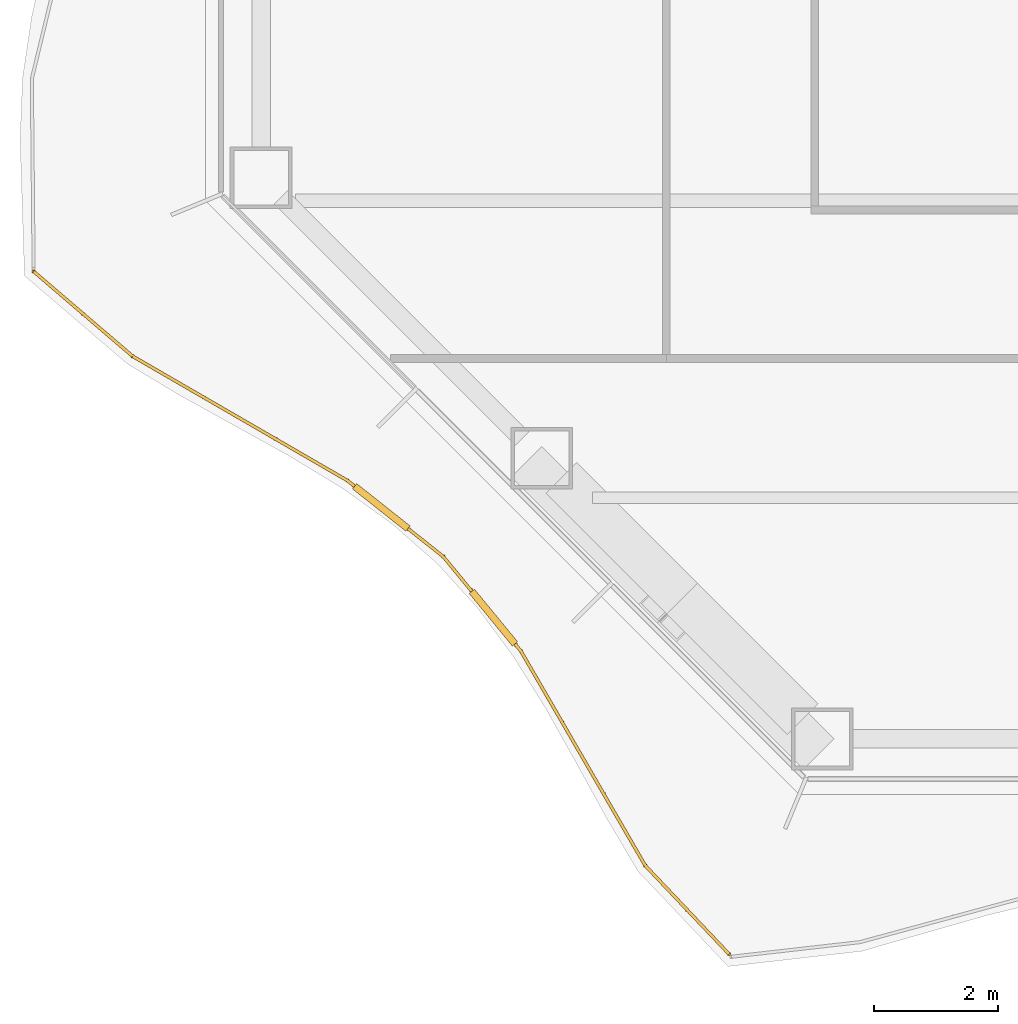
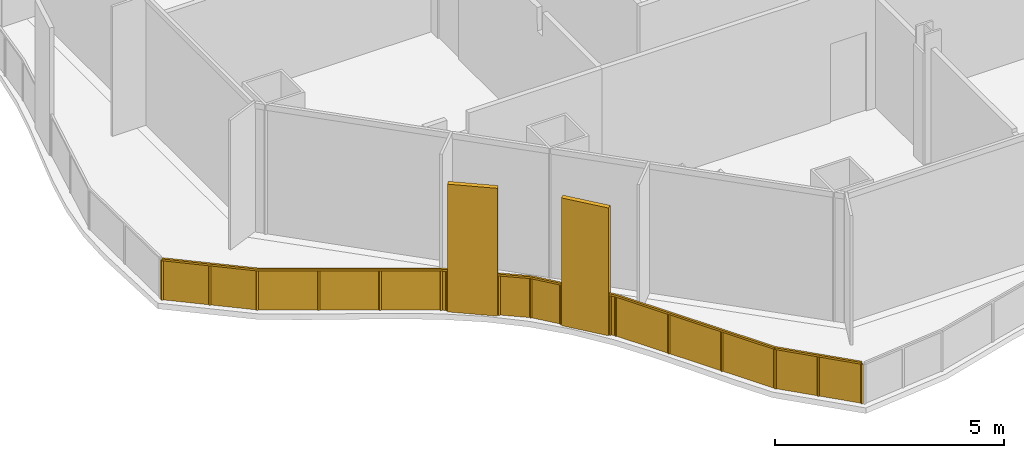
# One storey, part 15 of 21: 1 railing.
"""IFC4 building model written with IfcOpenShell, lengths in metres."""

from ifc_helpers import new_model, si_unit, direction, frame, origin, origin_2d, place, context, subcontext, project, spatial, polyline, rectangle, outline, extrude, material, type_object, element, save


model = new_model("IFC4")

# Units and contexts
model_context = context("Model", 3, precision=1e-05, world=origin(), true_north=direction((0.0, 1.0)))
body_context = subcontext(model_context, "Body", "Model", "MODEL_VIEW")
ifc_project = project(units=[si_unit("LENGTHUNIT", "METRE"), si_unit("AREAUNIT", "SQUARE_METRE"), si_unit("VOLUMEUNIT", "CUBIC_METRE"), si_unit("PLANEANGLEUNIT", "RADIAN"), si_unit("MASSUNIT", "GRAM", prefix="KILO")], contexts=[model_context])

# Site, building, storey
site_placement = place(None, origin())
site = spatial("IfcSite", under=ifc_project, at=site_placement, CompositionType="ELEMENT")
building_placement = place(site_placement, origin())
building = spatial("IfcBuilding", under=site, at=building_placement, Name="Cairn Pilgrim Tower", CompositionType="ELEMENT")
storey_placement = place(building_placement, frame((0.0, 0.0, 54.60009765625)))
storey = spatial("IfcBuildingStorey", under=building, at=storey_placement, Name="L11", CompositionType="ELEMENT", Elevation=54.60009765625)

# Railing
ifc_material = material(Name="Bronze anodised aluminium rail, posts and fin screens with laminated glass infill", Category="aluminium")
railing_type = type_object("IfcRailingType", Name="BALCONY GUARD WITH FIN SCREENS", PredefinedType="GUARDRAIL", material=ifc_material)
railing_placement = place(storey_placement, frame((-31.578125, -15.54296875, 0.0)))
element("IfcRailing", 1, at=railing_placement, inside=storey, type_object=railing_type, Name="Balcony guard BGF-8 with fin screens", PredefinedType="GUARDRAIL", context=body_context, shape_type="SweptSolid", body=[
    extrude(rectangle(XDim=0.050048828125, YDim=0.050048828125, at=origin_2d()), frame((0.0, 0.0, 1.0751953125), z_axis=(0.759362929352, -0.650667304793, 0.0), x_axis=(0.650667304793, 0.759362929352, 0.0)), (0.0, 0.0, 1.0), 2.10693359375),
    extrude(rectangle(XDim=0.050048828125, YDim=0.050048828125, at=origin_2d()), frame((1.599853515625, -1.370849609375, 1.0751953125), z_axis=(0.865473500733, -0.500954708061, 0.0), x_axis=(0.500954708061, 0.865473500733, 0.0)), (0.0, 0.0, 1.0), 4.011962890625),
    extrude(rectangle(XDim=1.10009765625, YDim=0.110107421875, at=origin_2d()), frame((5.62060546875, -3.8154296875, 0.0), z_axis=(0.0, 0.0, 1.0), x_axis=(0.783592922465, -0.621274602622, 0.0)), (0.0, 0.0, 1.0), 3.39990234375),
    extrude(rectangle(XDim=0.050048828125, YDim=0.050048828125, at=origin_2d()), frame((5.072021484375, -3.380615234375, 1.0751953125), z_axis=(0.783592922465, -0.621274602622, 0.0), x_axis=(0.621274602622, 0.783592922465, 0.0)), (0.0, 0.0, 1.0), 0.14990234375),
    extrude(rectangle(XDim=0.050048828125, YDim=0.050048828125, at=origin_2d()), frame((6.051513671875, -4.1572265625, 1.0751953125), z_axis=(0.783592922465, -0.621274602622, 0.0), x_axis=(0.621274602622, 0.783592922465, 0.0)), (0.0, 0.0, 1.0), 0.7294921875),
    extrude(rectangle(XDim=1.10009765625, YDim=0.110107421875, at=origin_2d()), frame((7.433349609375, -5.59716796875, 0.0), z_axis=(0.0, 0.0, 1.0), x_axis=(0.634628809565, -0.772817102599, 0.0)), (0.0, 0.0, 1.0), 3.39990234375),
    extrude(rectangle(XDim=0.050048828125, YDim=0.050048828125, at=origin_2d()), frame((6.623046875, -4.6103515625, 1.0751953125), z_axis=(0.634628809565, -0.772817102599, 0.0), x_axis=(0.772817102599, 0.634628809565, 0.0)), (0.0, 0.0, 1.0), 0.726806640625),
    extrude(rectangle(XDim=0.050048828125, YDim=0.050048828125, at=origin_2d()), frame((7.782470703125, -6.022216796875, 1.0751953125), z_axis=(0.634628809565, -0.772817102599, 0.0), x_axis=(0.772817102599, 0.634628809565, 0.0)), (0.0, 0.0, 1.0), 0.150146484375),
    extrude(rectangle(XDim=0.050048828125, YDim=0.050048828125, at=origin_2d()), frame((7.877685546875, -6.13818359375, 1.0751953125), z_axis=(0.501540345224, -0.865134256698, 0.0), x_axis=(0.865134256698, 0.501540345224, 0.0)), (0.0, 0.0, 1.0), 4.008544921875),
    extrude(rectangle(XDim=0.050048828125, YDim=0.050048828125, at=origin_2d()), frame((9.88818359375, -9.606201171875, 1.0751953125), z_axis=(0.687634629474, -0.726056896082, 0.0), x_axis=(0.726056896082, 0.687634629474, 0.0)), (0.0, 0.0, 1.0), 1.9697265625),
    extrude(rectangle(XDim=0.050048828125, YDim=0.050048828125, at=origin_2d()), origin(), (0.0, 0.0, 1.0), 1.050048828125),
    extrude(rectangle(XDim=0.050048828125, YDim=0.050048828125, at=origin_2d()), frame((0.7998046875, -0.685546875, 0.0)), (0.0, 0.0, 1.0), 1.050048828125),
    extrude(rectangle(XDim=0.050048828125, YDim=0.050048828125, at=origin_2d()), frame((1.599853515625, -1.370849609375, 0.0)), (0.0, 0.0, 1.0), 1.050048828125),
    extrude(rectangle(XDim=0.050048828125, YDim=0.050048828125, at=origin_2d()), frame((2.75732421875, -2.040771484375, 0.0)), (0.0, 0.0, 1.0), 1.050048828125),
    extrude(rectangle(XDim=0.050048828125, YDim=0.050048828125, at=origin_2d()), frame((3.91455078125, -2.710693359375, 0.0)), (0.0, 0.0, 1.0), 1.050048828125),
    extrude(rectangle(XDim=0.050048828125, YDim=0.050048828125, at=origin_2d()), frame((5.072021484375, -3.380615234375, 0.0)), (0.0, 0.0, 1.0), 1.050048828125),
    extrude(rectangle(XDim=0.050048828125, YDim=0.050048828125, at=origin_2d()), frame((5.169921875, -3.458251953125, 0.0)), (0.0, 0.0, 1.0), 1.050048828125),
    extrude(rectangle(XDim=0.050048828125, YDim=0.050048828125, at=origin_2d()), frame((6.071044921875, -4.1728515625, 0.0)), (0.0, 0.0, 1.0), 1.050048828125),
    extrude(rectangle(XDim=0.050048828125, YDim=0.050048828125, at=origin_2d()), frame((6.623046875, -4.6103515625, 0.0)), (0.0, 0.0, 1.0), 1.050048828125),
    extrude(rectangle(XDim=0.050048828125, YDim=0.050048828125, at=origin_2d()), frame((7.068603515625, -5.15283203125, 0.0)), (0.0, 0.0, 1.0), 1.050048828125),
    extrude(rectangle(XDim=0.050048828125, YDim=0.050048828125, at=origin_2d()), frame((7.79833984375, -6.04150390625, 0.0)), (0.0, 0.0, 1.0), 1.050048828125),
    extrude(rectangle(XDim=0.050048828125, YDim=0.050048828125, at=origin_2d()), frame((7.877685546875, -6.13818359375, 0.0)), (0.0, 0.0, 1.0), 1.050048828125),
    extrude(rectangle(XDim=0.050048828125, YDim=0.050048828125, at=origin_2d()), frame((8.5478515625, -7.294189453125, 0.0)), (0.0, 0.0, 1.0), 1.050048828125),
    extrude(rectangle(XDim=0.050048828125, YDim=0.050048828125, at=origin_2d()), frame((9.218017578125, -8.4501953125, 0.0)), (0.0, 0.0, 1.0), 1.050048828125),
    extrude(rectangle(XDim=0.050048828125, YDim=0.050048828125, at=origin_2d()), frame((9.88818359375, -9.606201171875, 0.0)), (0.0, 0.0, 1.0), 1.050048828125),
    extrude(rectangle(XDim=0.050048828125, YDim=0.050048828125, at=origin_2d()), frame((10.5654296875, -10.3212890625, 0.0)), (0.0, 0.0, 1.0), 1.050048828125),
    extrude(rectangle(XDim=0.050048828125, YDim=0.050048828125, at=origin_2d()), frame((11.24267578125, -11.036376953125, 0.0)), (0.0, 0.0, 1.0), 1.050048828125),
    extrude(outline(polyline([(0.02490234375, 0.0), (1.0283203125, 0.0), (1.0283203125, 1.050048828125), (0.02490234375, 1.050048828125), (0.02490234375, 0.0)])), frame((0.00390625, 0.004638671875, 0.0), z_axis=(-0.650667304793, -0.759362929352, 0.0), x_axis=(0.759362929352, -0.650667304793, 0.0)), (0.0, 0.0, 1.0), 0.011962890625),
    extrude(outline(polyline([(0.02490234375, 0.0), (1.0283203125, 0.0), (1.0283203125, 1.050048828125), (0.02490234375, 1.050048828125), (0.02490234375, 0.0)])), frame((0.8037109375, -0.680908203125, 0.0), z_axis=(-0.650667304793, -0.759362929352, 0.0), x_axis=(0.759362929352, -0.650667304793, 0.0)), (0.0, 0.0, 1.0), 0.011962890625),
    extrude(outline(polyline([(0.02490234375, 0.0), (1.312255859375, 0.0), (1.312255859375, 1.050048828125), (0.02490234375, 1.050048828125), (0.02490234375, 0.0)])), frame((1.602783203125, -1.36572265625, 0.0), z_axis=(-0.500954708061, -0.865473500733, 0.0), x_axis=(0.865473500733, -0.500954708061, 0.0)), (0.0, 0.0, 1.0), 0.011962890625),
    extrude(outline(polyline([(0.02490234375, 0.0), (1.312255859375, 0.0), (1.312255859375, 1.050048828125), (0.02490234375, 1.050048828125), (0.02490234375, 0.0)])), frame((2.76025390625, -2.03564453125, 0.0), z_axis=(-0.500954708061, -0.865473500733, 0.0), x_axis=(0.865473500733, -0.500954708061, 0.0)), (0.0, 0.0, 1.0), 0.011962890625),
    extrude(outline(polyline([(0.02490234375, 0.0), (1.312255859375, 0.0), (1.312255859375, 1.050048828125), (0.02490234375, 1.050048828125), (0.02490234375, 0.0)])), frame((3.917724609375, -2.70556640625, 0.0), z_axis=(-0.500954708061, -0.865473500733, 0.0), x_axis=(0.865473500733, -0.500954708061, 0.0)), (0.0, 0.0, 1.0), 0.011962890625),
    extrude(outline(polyline([(0.02490234375, 0.0), (0.099853515625, 0.0), (0.099853515625, 1.050048828125), (0.02490234375, 1.050048828125), (0.02490234375, 0.0)])), frame((5.07568359375, -3.3759765625, 0.0), z_axis=(-0.621274602622, -0.783592922465, 0.0), x_axis=(0.783592922465, -0.621274602622, 0.0)), (0.0, 0.0, 1.0), 0.011962890625),
    extrude(outline(polyline([(0.02490234375, 0.0), (0.679443359375, 0.0), (0.679443359375, 1.050048828125), (0.02490234375, 1.050048828125), (0.02490234375, 0.0)])), frame((6.074951171875, -4.16796875, 0.0), z_axis=(-0.621274602622, -0.783592922465, 0.0), x_axis=(0.783592922465, -0.621274602622, 0.0)), (0.0, 0.0, 1.0), 0.011962890625),
    extrude(outline(polyline([(0.02490234375, 0.0), (0.6767578125, 0.0), (0.6767578125, 1.050048828125), (0.02490234375, 1.050048828125), (0.02490234375, 0.0)])), frame((6.627685546875, -4.6064453125, 0.0), z_axis=(-0.772817102599, -0.634628809565, 0.0), x_axis=(0.634628809565, -0.772817102599, 0.0)), (0.0, 0.0, 1.0), 0.011962890625),
    extrude(outline(polyline([(0.02490234375, 0.0), (0.10009765625, 0.0), (0.10009765625, 1.050048828125), (0.02490234375, 1.050048828125), (0.02490234375, 0.0)])), frame((7.802978515625, -6.037841796875, 0.0), z_axis=(-0.772817102599, -0.634628809565, 0.0), x_axis=(0.634628809565, -0.772817102599, 0.0)), (0.0, 0.0, 1.0), 0.011962890625),
    extrude(outline(polyline([(0.02490234375, 0.0), (1.311279296875, 0.0), (1.311279296875, 1.050048828125), (0.02490234375, 1.050048828125), (0.02490234375, 0.0)])), frame((7.8828125, -6.13525390625, 0.0), z_axis=(-0.865134256698, -0.501540345224, 0.0), x_axis=(0.501540345224, -0.865134256698, 0.0)), (0.0, 0.0, 1.0), 0.011962890625),
    extrude(outline(polyline([(0.02490234375, 0.0), (1.311279296875, 0.0), (1.311279296875, 1.050048828125), (0.02490234375, 1.050048828125), (0.02490234375, 0.0)])), frame((8.552978515625, -7.291259765625, 0.0), z_axis=(-0.865134256698, -0.501540345224, 0.0), x_axis=(0.501540345224, -0.865134256698, 0.0)), (0.0, 0.0, 1.0), 0.011962890625),
    extrude(outline(polyline([(0.02490234375, 0.0), (1.311279296875, 0.0), (1.311279296875, 1.050048828125), (0.02490234375, 1.050048828125), (0.02490234375, 0.0)])), frame((9.22314453125, -8.447265625, 0.0), z_axis=(-0.865134256698, -0.501540345224, 0.0), x_axis=(0.501540345224, -0.865134256698, 0.0)), (0.0, 0.0, 1.0), 0.011962890625),
    extrude(outline(polyline([(0.02490234375, 0.0), (0.9599609375, 0.0), (0.9599609375, 1.050048828125), (0.02490234375, 1.050048828125), (0.02490234375, 0.0)])), frame((9.892578125, -9.60205078125, 0.0), z_axis=(-0.726056896082, -0.687634629474, 0.0), x_axis=(0.687634629474, -0.726056896082, 0.0)), (0.0, 0.0, 1.0), 0.011962890625),
    extrude(outline(polyline([(0.02490234375, 0.0), (0.9599609375, 0.0), (0.9599609375, 1.050048828125), (0.02490234375, 1.050048828125), (0.02490234375, 0.0)])), frame((10.56982421875, -10.317138671875, 0.0), z_axis=(-0.726056896082, -0.687634629474, 0.0), x_axis=(0.687634629474, -0.726056896082, 0.0)), (0.0, 0.0, 1.0), 0.011962890625),
])

save(model, "model.ifc")
